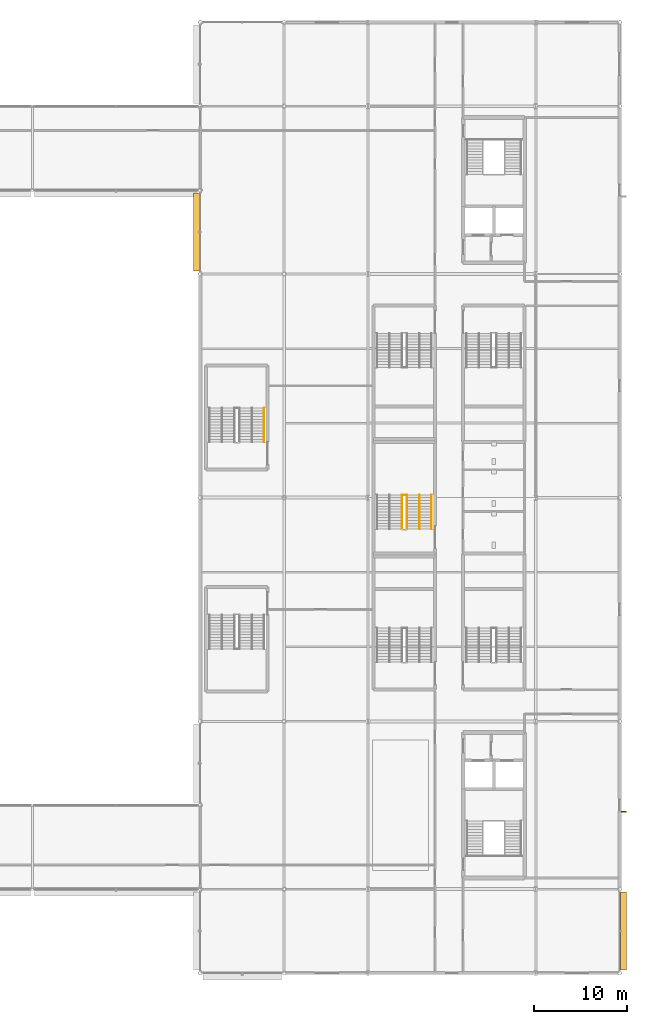
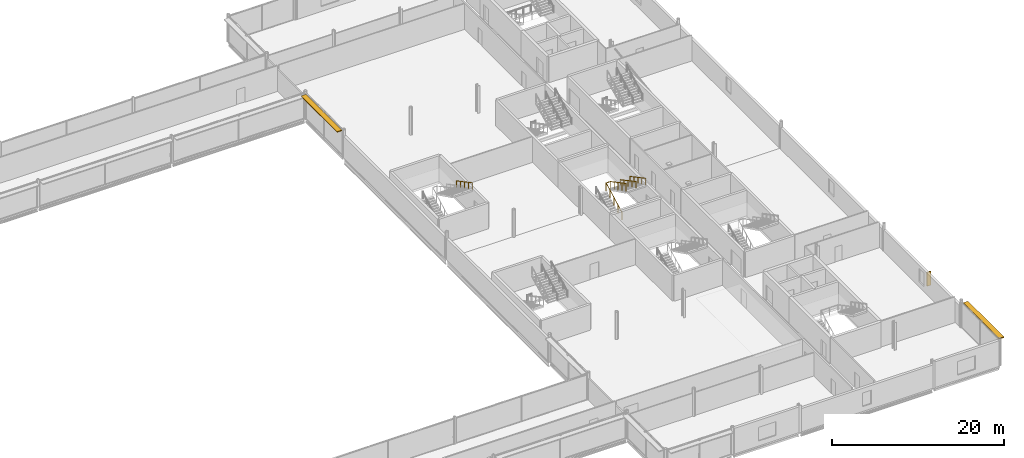
# One storey, part 93 of 96: 4 railings, 3 shading devices.
"""IFC4 building model written with IfcOpenShell, lengths in metres."""

from ifc_helpers import new_model, si_unit, direction, frame, origin, origin_2d, place, context, subcontext, project, spatial, rectangle, circle, extrude, material, type_object, element, save


model = new_model("IFC4")

# Units and contexts
model_context = context("Model", 3, precision=1e-05, world=origin(), true_north=direction((0.0, 1.0)))
body_context = subcontext(model_context, "Body", "Model", "MODEL_VIEW")
ifc_project = project(units=[si_unit("LENGTHUNIT", "METRE"), si_unit("AREAUNIT", "SQUARE_METRE"), si_unit("VOLUMEUNIT", "CUBIC_METRE"), si_unit("PLANEANGLEUNIT", "RADIAN"), si_unit("MASSUNIT", "GRAM", prefix="KILO")], contexts=[model_context])

# Site, building, storey
site_placement = place(None, origin())
site = spatial("IfcSite", under=ifc_project, at=site_placement, CompositionType="ELEMENT")
building_placement = place(site_placement, origin())
building = spatial("IfcBuilding", under=site, at=building_placement, Name="Kisiwana Market Hall", CompositionType="ELEMENT")
storey_placement = place(building_placement, frame((0.0, 0.0, 25.5)))
storey = spatial("IfcBuildingStorey", under=building, at=storey_placement, Name="L05", CompositionType="ELEMENT", Elevation=25.5)

# Railings
ifc_material_1 = material(Name="Steel S275", Category="steel")
railing_type_1 = type_object("IfcRailingType", Name="RL-GUARD-1100", PredefinedType="GUARDRAIL", material=ifc_material_1)
railing_placement = place(storey_placement, frame((174.6201171875, 56.639892578125, 0.0)))
element("IfcRailing", 1, at=railing_placement, inside=storey, type_object=railing_type_1, Name="Stair ST-E5-L05 inner-well guardrail (RL-945)", PredefinedType="GUARDRAIL", context=body_context, shape_type="SweptSolid", body=[
    extrude(circle(Radius=0.02392578125, at=origin_2d()), frame((0.0, 0.0, 1.076171875), z_axis=(0.0, 0.882566327451, 0.470187917379), x_axis=(-1.0, 0.0, 0.0)), (0.0, 0.0, 1.0), 4.147216796875),
    extrude(circle(Radius=0.02392578125, at=origin_2d()), frame((0.0, 3.66015625, 3.02587890625), z_axis=(1.0, 0.0, 0.0), x_axis=(0.0, 1.0, 0.0)), (0.0, 0.0, 1.0), 0.559814453125),
    extrude(circle(Radius=0.02392578125, at=origin_2d()), frame((0.559814453125, 3.66015625, 3.02587890625), z_axis=(0.0, -0.882566327451, 0.470187917379), x_axis=(1.0, 0.0, 0.0)), (0.0, 0.0, 1.0), 4.147216796875),
    extrude(circle(Radius=0.02099609375, at=origin_2d()), origin(), (0.0, 0.0, 1.0), 1.052001953125),
    extrude(circle(Radius=0.02099609375, at=origin_2d()), frame((0.0, 0.9150390625, 0.487548828125)), (0.0, 0.0, 1.0), 1.052001953125),
    extrude(circle(Radius=0.02099609375, at=origin_2d()), frame((0.0, 1.830078125, 0.97509765625)), (0.0, 0.0, 1.0), 1.052001953125),
    extrude(circle(Radius=0.02099609375, at=origin_2d()), frame((0.0, 2.7451171875, 1.46240234375)), (0.0, 0.0, 1.0), 1.052001953125),
    extrude(circle(Radius=0.02099609375, at=origin_2d()), frame((0.0, 3.66015625, 1.949951171875)), (0.0, 0.0, 1.0), 1.052001953125),
    extrude(circle(Radius=0.02099609375, at=origin_2d()), frame((0.559814453125, 3.66015625, 1.949951171875)), (0.0, 0.0, 1.0), 1.052001953125),
    extrude(circle(Radius=0.02099609375, at=origin_2d()), frame((0.559814453125, 2.7451171875, 2.4375)), (0.0, 0.0, 1.0), 1.052001953125),
    extrude(circle(Radius=0.02099609375, at=origin_2d()), frame((0.559814453125, 1.830078125, 2.9248046875)), (0.0, 0.0, 1.0), 1.052001953125),
    extrude(circle(Radius=0.02099609375, at=origin_2d()), frame((0.559814453125, 0.9150390625, 3.412353515625)), (0.0, 0.0, 1.0), 1.052001953125),
    extrude(circle(Radius=0.02099609375, at=origin_2d()), frame((0.559814453125, 0.0, 3.89990234375)), (0.0, 0.0, 1.0), 1.052001953125),
])
ifc_material_2 = material(Name="Steel S275", Category="steel")
railing_type_2 = type_object("IfcRailingType", Name="RL-HAND-900", PredefinedType="HANDRAIL", material=ifc_material_2)
for number, where, name in (
    (2, (159.860107421875, 69.6201171875, 1.949951171875), "Stair ST-E10-L05 flight 2 handrail (RL-935)"),
    (3, (177.830078125, 60.300048828125, 1.949951171875), "Stair ST-E5-L05 flight 2 handrail (RL-947)"),
    (4, (176.510009765625, 60.300048828125, 1.949951171875), "Stair ST-E5-L05 flight 2 intermediate handrail (RL-949)"),
):
    element("IfcRailing", number, at=place(storey_placement, frame(where)), inside=storey, type_object=railing_type_2, Name=name, PredefinedType="HANDRAIL", context=body_context, shape_type="SweptSolid", body=[
        extrude(circle(Radius=0.02392578125, at=origin_2d()), frame((0.0, 0.0, 0.8759765625), z_axis=(0.0, -0.882566327451, 0.470187917379), x_axis=(1.0, 0.0, 0.0)), (0.0, 0.0, 1.0), 4.147216796875),
        extrude(circle(Radius=0.02099609375, at=origin_2d()), origin(), (0.0, 0.0, 1.0), 0.851806640625),
        extrude(circle(Radius=0.02099609375, at=origin_2d()), frame((0.0, -0.9150390625, 0.487548828125)), (0.0, 0.0, 1.0), 0.851806640625),
        extrude(circle(Radius=0.02099609375, at=origin_2d()), frame((0.0, -1.830078125, 0.97509765625)), (0.0, 0.0, 1.0), 0.851806640625),
        extrude(circle(Radius=0.02099609375, at=origin_2d()), frame((0.0, -2.7451171875, 1.46240234375)), (0.0, 0.0, 1.0), 0.851806640625),
        extrude(circle(Radius=0.02099609375, at=origin_2d()), frame((0.0, -3.66015625, 1.949951171875)), (0.0, 0.0, 1.0), 0.851806640625),
    ])

# Shading devices
ifc_material_3 = material(Name="Aluminium alloy 6063-T6", Category="aluminium")
shading_device_type_1 = type_object("IfcShadingDeviceType", Name="SHD-JALOUSIE-H", PredefinedType="JALOUSIE", material=ifc_material_3)
for number, where, z_axis, x_axis, name in (
    (5, (152.580078125, 88.5, 3.474853515625), (0.0, 0.0, 1.0), (0.0, 1.0, 0.0), "Aluminium brise-soleil louvre SHD-122 SD-122"),
    (6, (198.419921875, 13.5, 3.474853515625), (0.0, 0.0, 1.0), (0.0, 1.0, 0.0), "Aluminium brise-soleil louvre SHD-124 SD-124"),
):
    element("IfcShadingDevice", number, at=place(storey_placement, frame(where, z_axis=z_axis, x_axis=x_axis)), inside=storey, type_object=shading_device_type_1, Name=name, PredefinedType="JALOUSIE", context=body_context, shape_type="SweptSolid", body=[
        extrude(rectangle(XDim=8.3935546875, YDim=0.64990234375, at=origin_2d()), origin(), (0.0, 0.0, 1.0), 0.1201171875),
    ])
ifc_material_4 = material(Name="Aluminium alloy 6063-T6", Category="aluminium")
shading_device_type_2 = type_object("IfcShadingDeviceType", Name="SHD-SHUTTER-V", PredefinedType="SHUTTER", material=ifc_material_4)
shading_device_placement = place(storey_placement, frame((198.445068359375, 26.320068359375, 0.7001953125), z_axis=(0.0, 0.0, 1.0), x_axis=(0.0, 1.0, 0.0)))
element("IfcShadingDevice", 7, at=shading_device_placement, inside=storey, type_object=shading_device_type_2, Name="Vertical solar fin SHD-125 SD-125", PredefinedType="SHUTTER", context=body_context, shape_type="SweptSolid", body=[
    extrude(rectangle(XDim=0.1201171875, YDim=0.550048828125, at=origin_2d()), origin(), (0.0, 0.0, 1.0), 1.949951171875),
])

save(model, "model.ifc")
